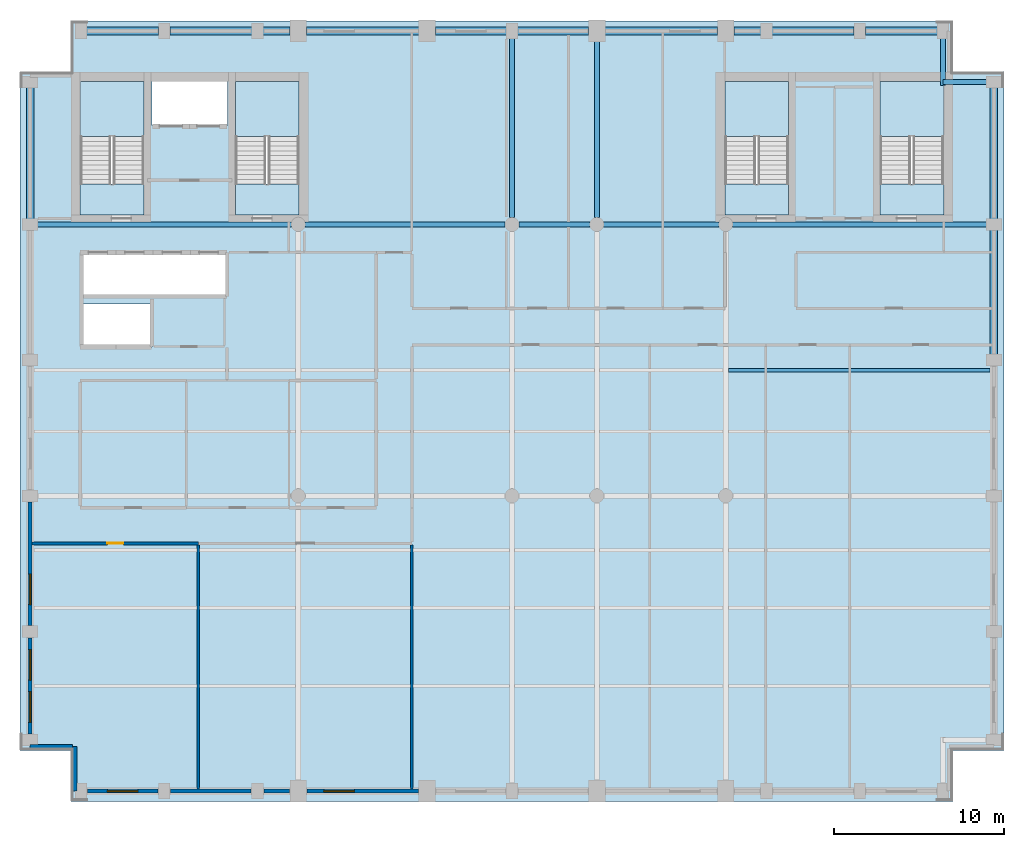
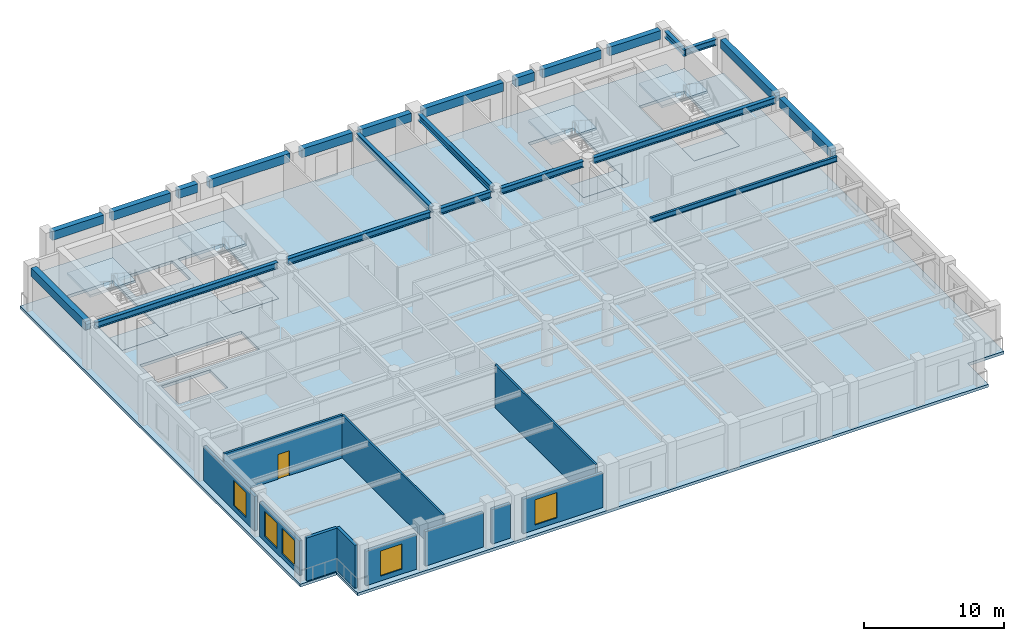
# One storey, part 2 of 9: 23 beams, 11 walls, 9 slabs, 5 windows, 1 door, 6 openings, 4 elements without a shape of their own.
"""IFC4 building model written with IfcOpenShell, lengths in metres."""

from ifc_helpers import new_model, si_unit, direction, frame, frame_2d, origin, origin_2d, place, context, subcontext, project, spatial, polyline, rectangle, i_section, outline, extrude, material, layer, layer_set, material_profile, profile_set, type_object, element, fill, aggregate, save


model = new_model("IFC4")

# Units and contexts
model_context = context("Model", 3, precision=1e-05, world=origin(), true_north=direction((0.0, 1.0)))
body_context = subcontext(model_context, "Body", "Model", "MODEL_VIEW")
ifc_project = project(units=[si_unit("LENGTHUNIT", "METRE"), si_unit("AREAUNIT", "SQUARE_METRE"), si_unit("VOLUMEUNIT", "CUBIC_METRE"), si_unit("PLANEANGLEUNIT", "RADIAN"), si_unit("MASSUNIT", "GRAM", prefix="KILO")], contexts=[model_context])

# Site, building, storey
site_placement = place(None, origin())
site = spatial("IfcSite", under=ifc_project, at=site_placement, CompositionType="ELEMENT")
building_placement = place(site_placement, origin())
building = spatial("IfcBuilding", under=site, at=building_placement, Name="Sulina Concourse Tower", CompositionType="ELEMENT")
storey_placement = place(building_placement, frame((0.0, 0.0, 272.60009765625)))
storey = spatial("IfcBuildingStorey", under=building, at=storey_placement, Name="L66", CompositionType="ELEMENT", Elevation=272.60009765625)

# Beams
ifc_material_1 = material(Name="Steel S355", Category="steel")
ifc_material_profile_1 = material_profile(ifc_material_1, i_section(OverallWidth=0.18994140625, OverallDepth=0.449951171875, WebThickness=0.009521484375, FlangeThickness=0.0146484375, at=origin_2d()), Name="IPE 450")
ifc_profile_set_1 = profile_set([ifc_material_profile_1], Name="Steel S355")
beam_type_1 = type_object("IfcBeamType", Name="Composite Floor Joist IPE450", PredefinedType="JOIST", material=ifc_profile_set_1)
beam_1_placement = place(storey_placement, frame((41.75, 25.39990234375, 3.52490234375), z_axis=(1.0, 0.0, 0.0), x_axis=(0.0, 1.0, 0.0)))
element("IfcBeam", 1, at=beam_1_placement, inside=storey, type_object=beam_type_1, Name="FJ-J25-5-L66", PredefinedType="JOIST", context=body_context, shape_type="SweptSolid", body=[
    extrude(i_section(OverallWidth=0.18994140625, OverallDepth=0.449951171875, WebThickness=0.009521484375, FlangeThickness=0.0146484375, at=origin_2d()), origin(), (0.0, 0.0, 1.0), 15.425048828125),
])
ifc_material_2 = material(Name="Steel S355", Category="steel")
ifc_material_profile_2 = material_profile(ifc_material_2, i_section(OverallWidth=0.300048828125, OverallDepth=0.550048828125, WebThickness=0.014892578125, FlangeThickness=0.029052734375, at=origin_2d()), Name="HE 550 B")
ifc_profile_set_2 = profile_set([ifc_material_profile_2], Name="Steel S355")
beam_type_2 = type_object("IfcBeamType", Name="Floor Primary Girder Zone 4 HE550B", PredefinedType="BEAM", material=ifc_profile_set_2)
beam_2_placement = place(storey_placement, frame((54.39990234375, 42.39990234375, 3.474853515625), z_axis=(1.0, 0.0, 0.0), x_axis=(0.0, 1.0, 0.0)))
element("IfcBeam", 2, at=beam_2_placement, inside=storey, type_object=beam_type_2, Name="TIE-NE-L66", PredefinedType="BEAM", context=body_context, shape_type="SweptSolid", body=[
    extrude(i_section(OverallWidth=0.300048828125, OverallDepth=0.550048828125, WebThickness=0.014892578125, FlangeThickness=0.029052734375, at=origin_2d()), origin(), (0.0, 0.0, 1.0), 2.670166015625),
])
beam_3_placement = place(storey_placement, frame((54.39990234375, 42.199951171875, 3.474853515625), z_axis=(0.0, 1.0, 0.0), x_axis=(-1.0, 0.0, 0.0)))
element("IfcBeam", 3, at=beam_3_placement, inside=storey, type_object=beam_type_2, Name="TIE-NEN-L66", PredefinedType="BEAM", context=body_context, shape_type="SweptSolid", body=[
    extrude(i_section(OverallWidth=0.300048828125, OverallDepth=0.550048828125, WebThickness=0.014892578125, FlangeThickness=0.029052734375, at=origin_2d()), origin(), (0.0, 0.0, 1.0), 2.8701171875),
])
beam_4_placement = place(storey_placement, frame((0.929931640625, 34.0, 3.474853515625), z_axis=(1.0, 0.0, 0.0), x_axis=(0.0, 1.0, 0.0)))
element("IfcBeam", 4, at=beam_4_placement, inside=storey, type_object=beam_type_2, Name="FG-EWN1-L66", PredefinedType="BEAM", context=body_context, shape_type="SweptSolid", body=[
    extrude(i_section(OverallWidth=0.300048828125, OverallDepth=0.550048828125, WebThickness=0.014892578125, FlangeThickness=0.029052734375, at=origin_2d()), origin(), (0.0, 0.0, 1.0), 15.065185546875),
])
beam_5_placement = place(storey_placement, frame((16.804931640625, 34.0, 3.474853515625), z_axis=(1.0, 0.0, 0.0), x_axis=(0.0, 1.0, 0.0)))
element("IfcBeam", 5, at=beam_5_placement, inside=storey, type_object=beam_type_2, Name="FG-EWN2-L66", PredefinedType="BEAM", context=body_context, shape_type="SweptSolid", body=[
    extrude(i_section(OverallWidth=0.300048828125, OverallDepth=0.550048828125, WebThickness=0.014892578125, FlangeThickness=0.029052734375, at=origin_2d()), origin(), (0.0, 0.0, 1.0), 11.7900390625),
])
beam_6_placement = place(storey_placement, frame((29.405029296875, 34.0, 3.474853515625), z_axis=(1.0, 0.0, 0.0), x_axis=(0.0, 1.0, 0.0)))
element("IfcBeam", 6, at=beam_6_placement, inside=storey, type_object=beam_type_2, Name="FG-EWN3-L66", PredefinedType="BEAM", context=body_context, shape_type="SweptSolid", body=[
    extrude(i_section(OverallWidth=0.300048828125, OverallDepth=0.550048828125, WebThickness=0.014892578125, FlangeThickness=0.029052734375, at=origin_2d()), origin(), (0.0, 0.0, 1.0), 4.18994140625),
])
beam_7_placement = place(storey_placement, frame((34.405029296875, 34.0, 3.474853515625), z_axis=(1.0, 0.0, 0.0), x_axis=(0.0, 1.0, 0.0)))
element("IfcBeam", 7, at=beam_7_placement, inside=storey, type_object=beam_type_2, Name="FG-EWN4-L66", PredefinedType="BEAM", context=body_context, shape_type="SweptSolid", body=[
    extrude(i_section(OverallWidth=0.300048828125, OverallDepth=0.550048828125, WebThickness=0.014892578125, FlangeThickness=0.029052734375, at=origin_2d()), origin(), (0.0, 0.0, 1.0), 6.7900390625),
])
beam_8_placement = place(storey_placement, frame((42.0048828125, 34.0, 3.474853515625), z_axis=(1.0, 0.0, 0.0), x_axis=(0.0, 1.0, 0.0)))
element("IfcBeam", 8, at=beam_8_placement, inside=storey, type_object=beam_type_2, Name="FG-EWN5-L66", PredefinedType="BEAM", context=body_context, shape_type="SweptSolid", body=[
    extrude(i_section(OverallWidth=0.300048828125, OverallDepth=0.550048828125, WebThickness=0.014892578125, FlangeThickness=0.029052734375, at=origin_2d()), origin(), (0.0, 0.0, 1.0), 15.065185546875),
])
beam_9_placement = place(storey_placement, frame((29.0, 34.405029296875, 3.474853515625), z_axis=(0.0, 1.0, 0.0), x_axis=(-1.0, 0.0, 0.0)))
element("IfcBeam", 9, at=beam_9_placement, inside=storey, type_object=beam_type_2, Name="FG-NSC-29-L66", PredefinedType="BEAM", context=body_context, shape_type="SweptSolid", body=[
    extrude(i_section(OverallWidth=0.300048828125, OverallDepth=0.550048828125, WebThickness=0.014892578125, FlangeThickness=0.029052734375, at=origin_2d()), origin(), (0.0, 0.0, 1.0), 10.6650390625),
])
beam_10_placement = place(storey_placement, frame((34.0, 34.405029296875, 3.474853515625), z_axis=(0.0, 1.0, 0.0), x_axis=(-1.0, 0.0, 0.0)))
element("IfcBeam", 10, at=beam_10_placement, inside=storey, type_object=beam_type_2, Name="FG-NSC-34-L66", PredefinedType="BEAM", context=body_context, shape_type="SweptSolid", body=[
    extrude(i_section(OverallWidth=0.300048828125, OverallDepth=0.550048828125, WebThickness=0.014892578125, FlangeThickness=0.029052734375, at=origin_2d()), origin(), (0.0, 0.0, 1.0), 10.514892578125),
])
ifc_material_3 = material(Name="Precast concrete C50/60", Category="concrete")
ifc_material_profile_3 = material_profile(ifc_material_3, rectangle(XDim=0.449951171875, YDim=0.75, at=origin_2d()), Name="RC 450x750")
ifc_profile_set_3 = profile_set([ifc_material_profile_3], Name="Precast concrete C50/60")
beam_type_3 = type_object("IfcBeamType", Name="Upper Precast Spandrel Edge Beam 450x750", PredefinedType="BEAM", material=ifc_profile_set_3)
beam_11_placement = place(storey_placement, frame((3.929931640625, 45.39990234375, 3.375), z_axis=(1.0, 0.0, 0.0), x_axis=(0.0, 1.0, 0.0)))
element("IfcBeam", 11, at=beam_11_placement, inside=storey, type_object=beam_type_3, Name="SP-N1-L66", PredefinedType="BEAM", context=body_context, shape_type="SweptSolid", body=[
    extrude(rectangle(XDim=0.449951171875, YDim=0.75, at=origin_2d()), origin(), (0.0, 0.0, 1.0), 4.239990234375),
])
beam_12_placement = place(storey_placement, frame((8.830078125, 45.39990234375, 3.375), z_axis=(1.0, 0.0, 0.0), x_axis=(0.0, 1.0, 0.0)))
element("IfcBeam", 12, at=beam_12_placement, inside=storey, type_object=beam_type_3, Name="SP-N2-L66", PredefinedType="BEAM", context=body_context, shape_type="SweptSolid", body=[
    extrude(rectangle(XDim=0.449951171875, YDim=0.75, at=origin_2d()), origin(), (0.0, 0.0, 1.0), 4.83984375),
])
beam_13_placement = place(storey_placement, frame((14.330078125, 45.39990234375, 3.375), z_axis=(1.0, 0.0, 0.0), x_axis=(0.0, 1.0, 0.0)))
element("IfcBeam", 13, at=beam_13_placement, inside=storey, type_object=beam_type_3, Name="SP-N3-L66", PredefinedType="BEAM", context=body_context, shape_type="SweptSolid", body=[
    extrude(rectangle(XDim=0.449951171875, YDim=0.75, at=origin_2d()), origin(), (0.0, 0.0, 1.0), 1.58984375),
])
beam_14_placement = place(storey_placement, frame((16.8798828125, 45.39990234375, 3.375), z_axis=(1.0, 0.0, 0.0), x_axis=(0.0, 1.0, 0.0)))
element("IfcBeam", 14, at=beam_14_placement, inside=storey, type_object=beam_type_3, Name="SP-N4-L66", PredefinedType="BEAM", context=body_context, shape_type="SweptSolid", body=[
    extrude(rectangle(XDim=0.449951171875, YDim=0.75, at=origin_2d()), origin(), (0.0, 0.0, 1.0), 6.64013671875),
])
for number, where, z_axis, x_axis, name in (
    (15, (24.47998046875, 45.39990234375, 3.375), (1.0, 0.0, 0.0), (0.0, 1.0, 0.0), "SP-N5-L66"),
    (16, (29.330078125, 45.39990234375, 3.375), (1.0, 0.0, 0.0), (0.0, 1.0, 0.0), "SP-N6-L66"),
):
    element("IfcBeam", number, at=place(storey_placement, frame(where, z_axis=z_axis, x_axis=x_axis)), inside=storey, type_object=beam_type_3, Name=name, PredefinedType="BEAM", context=body_context, shape_type="SweptSolid", body=[
        extrude(rectangle(XDim=0.449951171875, YDim=0.75, at=origin_2d()), origin(), (0.0, 0.0, 1.0), 4.18994140625),
    ])
beam_15_placement = place(storey_placement, frame((34.47998046875, 45.39990234375, 3.375), z_axis=(1.0, 0.0, 0.0), x_axis=(0.0, 1.0, 0.0)))
element("IfcBeam", 17, at=beam_15_placement, inside=storey, type_object=beam_type_3, Name="SP-N7-L66", PredefinedType="BEAM", context=body_context, shape_type="SweptSolid", body=[
    extrude(rectangle(XDim=0.449951171875, YDim=0.75, at=origin_2d()), origin(), (0.0, 0.0, 1.0), 6.64013671875),
])
beam_16_placement = place(storey_placement, frame((42.080078125, 45.39990234375, 3.375), z_axis=(1.0, 0.0, 0.0), x_axis=(0.0, 1.0, 0.0)))
element("IfcBeam", 18, at=beam_16_placement, inside=storey, type_object=beam_type_3, Name="SP-N8-L66", PredefinedType="BEAM", context=body_context, shape_type="SweptSolid", body=[
    extrude(rectangle(XDim=0.449951171875, YDim=0.75, at=origin_2d()), origin(), (0.0, 0.0, 1.0), 1.58984375),
])
beam_17_placement = place(storey_placement, frame((44.330078125, 45.39990234375, 3.375), z_axis=(1.0, 0.0, 0.0), x_axis=(0.0, 1.0, 0.0)))
element("IfcBeam", 19, at=beam_17_placement, inside=storey, type_object=beam_type_3, Name="SP-N9-L66", PredefinedType="BEAM", context=body_context, shape_type="SweptSolid", body=[
    extrude(rectangle(XDim=0.449951171875, YDim=0.75, at=origin_2d()), origin(), (0.0, 0.0, 1.0), 4.83984375),
])
beam_18_placement = place(storey_placement, frame((49.830078125, 45.39990234375, 3.375), z_axis=(1.0, 0.0, 0.0), x_axis=(0.0, 1.0, 0.0)))
element("IfcBeam", 20, at=beam_18_placement, inside=storey, type_object=beam_type_3, Name="SP-N10-L66", PredefinedType="BEAM", context=body_context, shape_type="SweptSolid", body=[
    extrude(rectangle(XDim=0.449951171875, YDim=0.75, at=origin_2d()), origin(), (0.0, 0.0, 1.0), 4.239990234375),
])
beam_19_placement = place(storey_placement, frame((0.60009765625, 34.330078125, 3.375), z_axis=(0.0, 1.0, 0.0), x_axis=(-1.0, 0.0, 0.0)))
element("IfcBeam", 21, at=beam_19_placement, inside=storey, type_object=beam_type_3, Name="SP-W5-L66", PredefinedType="BEAM", context=body_context, shape_type="SweptSolid", body=[
    extrude(rectangle(XDim=0.449951171875, YDim=0.75, at=origin_2d()), origin(), (0.0, 0.0, 1.0), 7.739990234375),
])
beam_20_placement = place(storey_placement, frame((57.39990234375, 26.330078125, 3.375), z_axis=(0.0, 1.0, 0.0), x_axis=(-1.0, 0.0, 0.0)))
element("IfcBeam", 22, at=beam_20_placement, inside=storey, type_object=beam_type_3, Name="SP-E4-L66", PredefinedType="BEAM", context=body_context, shape_type="SweptSolid", body=[
    extrude(rectangle(XDim=0.449951171875, YDim=0.75, at=origin_2d()), origin(), (0.0, 0.0, 1.0), 7.33984375),
])
beam_21_placement = place(storey_placement, frame((57.39990234375, 34.330078125, 3.375), z_axis=(0.0, 1.0, 0.0), x_axis=(-1.0, 0.0, 0.0)))
element("IfcBeam", 23, at=beam_21_placement, inside=storey, type_object=beam_type_3, Name="SP-E5-L66", PredefinedType="BEAM", context=body_context, shape_type="SweptSolid", body=[
    extrude(rectangle(XDim=0.449951171875, YDim=0.75, at=origin_2d()), origin(), (0.0, 0.0, 1.0), 7.739990234375),
])

# Slabs
ifc_material_4 = material(Name="Concrete C50/60", Category="concrete")
ifc_layer_1 = layer(ifc_material_4, 0.25)
ifc_layer_set_1 = layer_set([ifc_layer_1], Name="Concrete C50/60")
slab_type_1 = type_object("IfcSlabType", Name="High-Rise Composite Floor Slab 250mm", PredefinedType="FLOOR", material=ifc_layer_set_1)
slab_1_placement = place(storey_placement, frame((0.0, 0.0, -0.25)))
element("IfcSlab", 24, at=slab_1_placement, inside=storey, type_object=slab_type_1, Name="L66 structural floor slab", PredefinedType="FLOOR", context=body_context, shape_type="SweptSolid", body=[
    extrude(outline(polyline([(3.0, 0.0), (55.0, 0.0), (55.0, 3.0), (58.0, 3.0), (58.0, 43.0), (55.0, 43.0), (55.0, 46.0), (3.0, 46.0), (3.0, 43.0), (0.0, 43.0), (0.0, 3.0), (3.0, 3.0), (3.0, 0.0)]), holes=[polyline([(7.31005859375, 34.550048828125), (7.31005859375, 42.429931640625), (3.550048828125, 42.429931640625), (3.550048828125, 34.550048828125), (7.31005859375, 34.550048828125)]), polyline([(16.449951171875, 34.550048828125), (16.449951171875, 42.429931640625), (12.68994140625, 42.429931640625), (12.68994140625, 34.550048828125), (16.449951171875, 34.550048828125)]), polyline([(45.31005859375, 34.550048828125), (45.31005859375, 42.429931640625), (41.550048828125, 42.429931640625), (41.550048828125, 34.550048828125), (45.31005859375, 34.550048828125)]), polyline([(54.449951171875, 34.550048828125), (54.449951171875, 42.429931640625), (50.68994140625, 42.429931640625), (50.68994140625, 34.550048828125), (54.449951171875, 34.550048828125)]), polyline([(7.780029296875, 39.830078125), (12.219970703125, 39.830078125), (12.219970703125, 42.449951171875), (7.780029296875, 42.449951171875), (7.780029296875, 39.830078125)]), polyline([(3.739990234375, 26.780029296875), (7.77001953125, 26.780029296875), (7.77001953125, 29.320068359375), (3.739990234375, 29.320068359375), (3.739990234375, 26.780029296875)]), polyline([(3.739990234375, 29.780029296875), (12.10009765625, 29.780029296875), (12.10009765625, 32.3701171875), (3.739990234375, 32.3701171875), (3.739990234375, 29.780029296875)])]), origin(), (0.0, 0.0, 1.0), 0.25),
])
ifc_material_5 = material(Name="Concrete C50/60", Category="concrete")
ifc_layer_2 = layer(ifc_material_5, 0.199951171875)
ifc_layer_set_2 = layer_set([ifc_layer_2], Name="Concrete C50/60")
slab_type_2 = type_object("IfcSlabType", Name="Primary Core Stair Landing Slab 200mm", PredefinedType="LANDING", material=ifc_layer_set_2)
slab_2_placement = place(storey_placement, frame((0.0, 0.0, -0.2001953125)))
element("IfcSlab", 25, at=slab_2_placement, inside=storey, type_object=slab_type_2, Name="L66 ST-1 floor landing slab", PredefinedType="LANDING", context=body_context, shape_type="SweptSolid", body=[
    extrude(outline(polyline([(7.31005859375, 34.550048828125), (7.31005859375, 36.375), (3.550048828125, 36.375), (3.550048828125, 34.550048828125), (7.31005859375, 34.550048828125)])), origin(), (0.0, 0.0, 1.0), 0.2001953125),
])
slab_3_placement = place(storey_placement, frame((0.0, 0.0, -0.2001953125)))
element("IfcSlab", 26, at=slab_3_placement, inside=storey, type_object=slab_type_2, Name="L66 ST-2 floor landing slab", PredefinedType="LANDING", context=body_context, shape_type="SweptSolid", body=[
    extrude(outline(polyline([(16.449951171875, 34.550048828125), (16.449951171875, 36.375), (12.68994140625, 36.375), (12.68994140625, 34.550048828125), (16.449951171875, 34.550048828125)])), origin(), (0.0, 0.0, 1.0), 0.2001953125),
])
slab_4_placement = place(storey_placement, frame((0.0, 0.0, -0.2001953125)))
element("IfcSlab", 27, at=slab_4_placement, inside=storey, type_object=slab_type_2, Name="L66 ST-3 floor landing slab", PredefinedType="LANDING", context=body_context, shape_type="SweptSolid", body=[
    extrude(outline(polyline([(45.31005859375, 34.550048828125), (45.31005859375, 36.375), (41.550048828125, 36.375), (41.550048828125, 34.550048828125), (45.31005859375, 34.550048828125)])), origin(), (0.0, 0.0, 1.0), 0.2001953125),
])
slab_5_placement = place(storey_placement, frame((0.0, 0.0, -0.2001953125)))
element("IfcSlab", 28, at=slab_5_placement, inside=storey, type_object=slab_type_2, Name="L66 ST-4 floor landing slab", PredefinedType="LANDING", context=body_context, shape_type="SweptSolid", body=[
    extrude(outline(polyline([(54.449951171875, 34.550048828125), (54.449951171875, 36.375), (50.68994140625, 36.375), (50.68994140625, 34.550048828125), (54.449951171875, 34.550048828125)])), origin(), (0.0, 0.0, 1.0), 0.2001953125),
])

# Stair, slab
ifc_material_6 = material(Name="Concrete C50/60", Category="concrete")
stair_type_1 = type_object("IfcStairType", Name="Primary Core Dog-Leg Exit Stair 1800mm", PredefinedType="HALF_TURN_STAIR", material=ifc_material_6)
stair_1_placement = place(storey_placement, origin())
stair_1 = element("IfcStair", 29, at=stair_1_placement, inside=storey, type_object=stair_type_1, Name="L66 ST-1", PredefinedType="HALF_TURN_STAIR")
slab_6_placement = place(storey_placement, frame((0.0, 0.0, 1.7998046875)))
slab_6 = element("IfcSlab", 30, at=slab_6_placement, type_object=slab_type_2, Name="ST-1 landing 1", PredefinedType="LANDING", context=body_context, shape_type="SweptSolid", body=[
    extrude(outline(polyline([(7.304931640625, 39.175048828125), (7.304931640625, 42.425048828125), (3.554931640625, 42.425048828125), (3.554931640625, 39.175048828125), (7.304931640625, 39.175048828125)])), origin(), (0.0, 0.0, 1.0), 0.2001953125),
])
aggregate(stair_1, [slab_6])

stair_2_placement = place(storey_placement, origin())
stair_2 = element("IfcStair", 31, at=stair_2_placement, inside=storey, type_object=stair_type_1, Name="L66 ST-2", PredefinedType="HALF_TURN_STAIR")
slab_7_placement = place(storey_placement, frame((0.0, 0.0, 1.7998046875)))
slab_7 = element("IfcSlab", 32, at=slab_7_placement, type_object=slab_type_2, Name="ST-2 landing 1", PredefinedType="LANDING", context=body_context, shape_type="SweptSolid", body=[
    extrude(outline(polyline([(16.445068359375, 39.175048828125), (16.445068359375, 42.425048828125), (12.695068359375, 42.425048828125), (12.695068359375, 39.175048828125), (16.445068359375, 39.175048828125)])), origin(), (0.0, 0.0, 1.0), 0.2001953125),
])
aggregate(stair_2, [slab_7])

ifc_material_7 = material(Name="Concrete C50/60", Category="concrete")
stair_type_2 = type_object("IfcStairType", Name="Portal & Podium Core Exit Stair 1820mm", PredefinedType="HALF_TURN_STAIR", material=ifc_material_7)
stair_3_placement = place(storey_placement, origin())
stair_3 = element("IfcStair", 33, at=stair_3_placement, inside=storey, type_object=stair_type_2, Name="L66 ST-3", PredefinedType="HALF_TURN_STAIR")
slab_8_placement = place(storey_placement, frame((0.0, 0.0, 1.7998046875)))
slab_8 = element("IfcSlab", 34, at=slab_8_placement, type_object=slab_type_2, Name="ST-3 landing 1", PredefinedType="LANDING", context=body_context, shape_type="SweptSolid", body=[
    extrude(outline(polyline([(45.304931640625, 39.175048828125), (45.304931640625, 42.425048828125), (41.554931640625, 42.425048828125), (41.554931640625, 39.175048828125), (45.304931640625, 39.175048828125)])), origin(), (0.0, 0.0, 1.0), 0.2001953125),
])
aggregate(stair_3, [slab_8])

stair_4_placement = place(storey_placement, origin())
stair_4 = element("IfcStair", 35, at=stair_4_placement, inside=storey, type_object=stair_type_2, Name="L66 ST-4", PredefinedType="HALF_TURN_STAIR")
slab_9_placement = place(storey_placement, frame((0.0, 0.0, 1.7998046875)))
slab_9 = element("IfcSlab", 36, at=slab_9_placement, type_object=slab_type_2, Name="ST-4 landing 1", PredefinedType="LANDING", context=body_context, shape_type="SweptSolid", body=[
    extrude(outline(polyline([(54.445068359375, 39.175048828125), (54.445068359375, 42.425048828125), (50.695068359375, 42.425048828125), (50.695068359375, 39.175048828125), (54.445068359375, 39.175048828125)])), origin(), (0.0, 0.0, 1.0), 0.2001953125),
])
aggregate(stair_4, [slab_9])

# Wall, opening, window
ifc_material_8 = material(Name="Precast concrete C50/60", Category="concrete")
ifc_layer_3 = layer(ifc_material_8, 0.239990234375)
ifc_layer_set_3 = layer_set([ifc_layer_3], Name="Precast concrete C50/60")
wall_type_1 = type_object("IfcWallType", Name="Crown Precast Masonry-Frame Facade Wall 240mm", PredefinedType="SOLIDWALL", material=ifc_layer_set_3)
wall_1_placement = place(storey_placement, frame((8.1298828125, 0.60009765625, 0.0), z_axis=(0.0, 0.0, 1.0), x_axis=(-1.0, 0.0, 0.0)))
wall_1 = element("IfcWall", 37, at=wall_1_placement, inside=storey, type_object=wall_type_1, Name="L66 exterior precast wall S1", PredefinedType="SOLIDWALL", context=body_context, shape_type="SweptSolid", body=[
    extrude(rectangle(XDim=4.159912109375, YDim=0.239990234375, at=frame_2d((2.080078125, 0.0))), origin(), (0.0, 0.0, 1.0), 3.0),
])
opening_1_placement = place(wall_1_placement, frame((1.179931640625, 0.0, 0.419921875)))
opening_1 = element("IfcOpeningElement", 38, at=opening_1_placement, cuts=wall_1, Name="Opening WN-25", PredefinedType="OPENING", context=body_context, shape_type="SweptSolid", body=[
    extrude(rectangle(XDim=1.800048828125, YDim=2.199951171875, at=frame_2d((0.89990234375, 1.10009765625))), frame((0.0, 0.1298828125, 0.0), z_axis=(0.0, -1.0, 0.0), x_axis=(1.0, 0.0, 0.0)), (0.0, 0.0, 1.0), 0.260009765625),
])
ifc_material_9 = material(Name="Low-E solar double glazing in bronze aluminium", Category="aluminium")
window_type = type_object("IfcWindowType", Name="Punched Masonry-Frame Window 1800x2200", PartitioningType="SINGLE_PANEL", PredefinedType="WINDOW", material=ifc_material_9)
window_1_placement = place(opening_1_placement, origin())
window_1 = element("IfcWindow", 39, at=window_1_placement, inside=storey, type_object=window_type, Name="L66 punched window S1-1", OverallHeight=2.199951171875, OverallWidth=1.800048828125, PartitioningType="SINGLE_PANEL", PredefinedType="WINDOW", context=body_context, shape_type="SweptSolid", body=[
    extrude(rectangle(XDim=1.800048828125, YDim=2.199951171875, at=frame_2d((0.89990234375, 1.10009765625))), frame((0.0, 0.030029296875, 0.0), z_axis=(0.0, -1.0, 0.0), x_axis=(1.0, 0.0, 0.0)), (0.0, 0.0, 1.0), 0.06005859375),
])
fill(opening_1, window_1)

# Walls
wall_2_placement = place(storey_placement, frame((13.6298828125, 0.60009765625, 0.0), z_axis=(0.0, 0.0, 1.0), x_axis=(-1.0, 0.0, 0.0)))
element("IfcWall", 40, at=wall_2_placement, inside=storey, type_object=wall_type_1, Name="L66 exterior precast wall S2", PredefinedType="SOLIDWALL", context=body_context, shape_type="SweptSolid", body=[
    extrude(rectangle(XDim=4.759765625, YDim=0.239990234375, at=frame_2d((2.3798828125, 0.0))), origin(), (0.0, 0.0, 1.0), 3.0),
])
wall_3_placement = place(storey_placement, frame((15.8798828125, 0.60009765625, 0.0), z_axis=(0.0, 0.0, 1.0), x_axis=(-1.0, 0.0, 0.0)))
element("IfcWall", 41, at=wall_3_placement, inside=storey, type_object=wall_type_1, Name="L66 exterior precast wall S3", PredefinedType="SOLIDWALL", context=body_context, shape_type="SweptSolid", body=[
    extrude(rectangle(XDim=1.509765625, YDim=0.239990234375, at=frame_2d((0.7548828125, 0.0))), origin(), (0.0, 0.0, 1.0), 3.0),
])

# Wall, opening, window
wall_4_placement = place(storey_placement, frame((23.47998046875, 0.60009765625, 0.0), z_axis=(0.0, 0.0, 1.0), x_axis=(-1.0, 0.0, 0.0)))
wall_4 = element("IfcWall", 42, at=wall_4_placement, inside=storey, type_object=wall_type_1, Name="L66 exterior precast wall S4", PredefinedType="SOLIDWALL", context=body_context, shape_type="SweptSolid", body=[
    extrude(rectangle(XDim=6.56005859375, YDim=0.239990234375, at=frame_2d((3.280029296875, 0.0))), origin(), (0.0, 0.0, 1.0), 3.0),
])
opening_2_placement = place(wall_4_placement, frame((3.773193359375, 0.0, 0.419921875)))
opening_2 = element("IfcOpeningElement", 43, at=opening_2_placement, cuts=wall_4, Name="Opening WN-25", PredefinedType="OPENING", context=body_context, shape_type="SweptSolid", body=[
    extrude(rectangle(XDim=1.800048828125, YDim=2.199951171875, at=frame_2d((0.89990234375, 1.10009765625))), frame((0.0, 0.1298828125, 0.0), z_axis=(0.0, -1.0, 0.0), x_axis=(1.0, 0.0, 0.0)), (0.0, 0.0, 1.0), 0.260009765625),
])
window_2_placement = place(opening_2_placement, origin())
window_2 = element("IfcWindow", 44, at=window_2_placement, inside=storey, type_object=window_type, Name="L66 punched window S4-1", OverallHeight=2.199951171875, OverallWidth=1.800048828125, PartitioningType="SINGLE_PANEL", PredefinedType="WINDOW", context=body_context, shape_type="SweptSolid", body=[
    extrude(rectangle(XDim=1.800048828125, YDim=2.199951171875, at=frame_2d((0.89990234375, 1.10009765625))), frame((0.0, 0.030029296875, 0.0), z_axis=(0.0, -1.0, 0.0), x_axis=(1.0, 0.0, 0.0)), (0.0, 0.0, 1.0), 0.06005859375),
])
fill(opening_2, window_2)

# Wall, openings, windows
wall_5_placement = place(storey_placement, frame((0.60009765625, 3.969970703125, 0.0), z_axis=(0.0, 0.0, 1.0), x_axis=(0.0, 1.0, 0.0)))
wall_5 = element("IfcWall", 45, at=wall_5_placement, inside=storey, type_object=wall_type_1, Name="L66 exterior precast wall W1", PredefinedType="SOLIDWALL", context=body_context, shape_type="SweptSolid", body=[
    extrude(rectangle(XDim=5.659912109375, YDim=0.239990234375, at=frame_2d((2.830078125, 0.0))), origin(), (0.0, 0.0, 1.0), 3.0),
])
opening_3_placement = place(wall_5_placement, frame((0.686767578125, 0.0, 0.419921875)))
opening_3 = element("IfcOpeningElement", 46, at=opening_3_placement, cuts=wall_5, Name="Opening WN-25", PredefinedType="OPENING", context=body_context, shape_type="SweptSolid", body=[
    extrude(rectangle(XDim=1.800048828125, YDim=2.199951171875, at=frame_2d((0.89990234375, 1.10009765625))), frame((0.0, 0.1298828125, 0.0), z_axis=(0.0, -1.0, 0.0), x_axis=(1.0, 0.0, 0.0)), (0.0, 0.0, 1.0), 0.260009765625),
])
opening_4_placement = place(wall_5_placement, frame((3.17333984375, 0.0, 0.419921875)))
opening_4 = element("IfcOpeningElement", 47, at=opening_4_placement, cuts=wall_5, Name="Opening WN-25", PredefinedType="OPENING", context=body_context, shape_type="SweptSolid", body=[
    extrude(rectangle(XDim=1.800048828125, YDim=2.199951171875, at=frame_2d((0.89990234375, 1.10009765625))), frame((0.0, 0.1298828125, 0.0), z_axis=(0.0, -1.0, 0.0), x_axis=(1.0, 0.0, 0.0)), (0.0, 0.0, 1.0), 0.260009765625),
])
window_3_placement = place(opening_3_placement, origin())
window_3 = element("IfcWindow", 48, at=window_3_placement, inside=storey, type_object=window_type, Name="L66 punched window W1-1", OverallHeight=2.199951171875, OverallWidth=1.800048828125, PartitioningType="SINGLE_PANEL", PredefinedType="WINDOW", context=body_context, shape_type="SweptSolid", body=[
    extrude(rectangle(XDim=1.800048828125, YDim=2.199951171875, at=frame_2d((0.89990234375, 1.10009765625))), frame((0.0, 0.030029296875, 0.0), z_axis=(0.0, -1.0, 0.0), x_axis=(1.0, 0.0, 0.0)), (0.0, 0.0, 1.0), 0.06005859375),
])
fill(opening_3, window_3)
window_4_placement = place(opening_4_placement, origin())
window_4 = element("IfcWindow", 49, at=window_4_placement, inside=storey, type_object=window_type, Name="L66 punched window W1-2", OverallHeight=2.199951171875, OverallWidth=1.800048828125, PartitioningType="SINGLE_PANEL", PredefinedType="WINDOW", context=body_context, shape_type="SweptSolid", body=[
    extrude(rectangle(XDim=1.800048828125, YDim=2.199951171875, at=frame_2d((0.89990234375, 1.10009765625))), frame((0.0, 0.030029296875, 0.0), z_axis=(0.0, -1.0, 0.0), x_axis=(1.0, 0.0, 0.0)), (0.0, 0.0, 1.0), 0.06005859375),
])
fill(opening_4, window_4)

# Wall, opening, window
wall_6_placement = place(storey_placement, frame((0.60009765625, 10.3701171875, 0.0), z_axis=(0.0, 0.0, 1.0), x_axis=(0.0, 1.0, 0.0)))
wall_6 = element("IfcWall", 50, at=wall_6_placement, inside=storey, type_object=wall_type_1, Name="L66 exterior precast wall W2", PredefinedType="SOLIDWALL", context=body_context, shape_type="SweptSolid", body=[
    extrude(rectangle(XDim=7.259765625, YDim=0.239990234375, at=frame_2d((3.6298828125, 0.0))), origin(), (0.0, 0.0, 1.0), 3.0),
])
opening_5_placement = place(wall_6_placement, frame((1.219970703125, 0.0, 0.419921875)))
opening_5 = element("IfcOpeningElement", 51, at=opening_5_placement, cuts=wall_6, Name="Opening WN-25", PredefinedType="OPENING", context=body_context, shape_type="SweptSolid", body=[
    extrude(rectangle(XDim=1.800048828125, YDim=2.199951171875, at=frame_2d((0.89990234375, 1.10009765625))), frame((0.0, 0.1298828125, 0.0), z_axis=(0.0, -1.0, 0.0), x_axis=(1.0, 0.0, 0.0)), (0.0, 0.0, 1.0), 0.260009765625),
])
window_5_placement = place(opening_5_placement, origin())
window_5 = element("IfcWindow", 52, at=window_5_placement, inside=storey, type_object=window_type, Name="L66 punched window W2-1", OverallHeight=2.199951171875, OverallWidth=1.800048828125, PartitioningType="SINGLE_PANEL", PredefinedType="WINDOW", context=body_context, shape_type="SweptSolid", body=[
    extrude(rectangle(XDim=1.800048828125, YDim=2.199951171875, at=frame_2d((0.89990234375, 1.10009765625))), frame((0.0, 0.030029296875, 0.0), z_axis=(0.0, -1.0, 0.0), x_axis=(1.0, 0.0, 0.0)), (0.0, 0.0, 1.0), 0.06005859375),
])
fill(opening_5, window_5)

# Walls
wall_7_placement = place(storey_placement, frame((3.22998046875, 0.60009765625, 0.0), z_axis=(0.0, 0.0, 1.0), x_axis=(0.0, 1.0, 0.0)))
element("IfcWall", 53, at=wall_7_placement, inside=storey, type_object=wall_type_1, Name="L66 exterior precast wall CSW1", PredefinedType="SOLIDWALL", context=body_context, shape_type="SweptSolid", body=[
    extrude(rectangle(XDim=2.6298828125, YDim=0.239990234375, at=frame_2d((1.31494140625, 0.0))), origin(), (0.0, 0.0, 1.0), 3.75),
])
wall_8_placement = place(storey_placement, frame((3.10498046875, 3.22998046875, 0.0), z_axis=(0.0, 0.0, 1.0), x_axis=(-1.0, 0.0, 0.0)))
element("IfcWall", 54, at=wall_8_placement, inside=storey, type_object=wall_type_1, Name="L66 exterior precast wall CSW2", PredefinedType="SOLIDWALL", context=body_context, shape_type="SweptSolid", body=[
    extrude(rectangle(XDim=2.5048828125, YDim=0.239990234375, at=frame_2d((1.25244140625, 0.0))), origin(), (0.0, 0.0, 1.0), 3.75),
])
ifc_material_10 = material(Name="Gypsum board on steel stud", Category="steel")
ifc_layer_4 = layer(ifc_material_10, 0.14990234375)
ifc_layer_set_4 = layer_set([ifc_layer_4], Name="Gypsum board on steel stud")
wall_type_2 = type_object("IfcWallType", Name="Inter-Tenancy Acoustic Partition 150mm", PredefinedType="PARTITIONING", material=ifc_layer_set_4)
for number, where, z_axis, x_axis, name in (
    (55, (10.52001953125, 0.719970703125, 0.0), (0.0, 0.0, 1.0), (0.0, 1.0, 0.0), "L66 interior partition 031"),
    (56, (23.10009765625, 0.719970703125, 0.0), (0.0, 0.0, 1.0), (0.0, 1.0, 0.0), "L66 interior partition 039"),
):
    element("IfcWall", number, at=place(storey_placement, frame(where, z_axis=z_axis, x_axis=x_axis)), inside=storey, type_object=wall_type_2, Name=name, PredefinedType="PARTITIONING", context=body_context, shape_type="SweptSolid", body=[
        extrude(rectangle(XDim=14.39013671875, YDim=0.14990234375, at=frame_2d((7.195068359375, 0.0))), origin(), (0.0, 0.0, 1.0), 3.75),
    ])

# Wall, opening, door
ifc_material_11 = material(Name="Gypsum board on steel stud", Category="steel")
ifc_layer_5 = layer(ifc_material_11, 0.179931640625)
ifc_layer_set_5 = layer_set([ifc_layer_5], Name="Gypsum board on steel stud")
wall_type_3 = type_object("IfcWallType", Name="Protected Corridor & Riser Partition 180mm", PredefinedType="PARTITIONING", material=ifc_layer_set_5)
wall_9_placement = place(storey_placement, frame((0.719970703125, 15.199951171875, 0.0), z_axis=(0.0, 0.0, 1.0), x_axis=(1.0, 0.0, 0.0)))
wall_9 = element("IfcWall", 57, at=wall_9_placement, inside=storey, type_object=wall_type_3, Name="L66 interior partition 001", PredefinedType="PARTITIONING", context=body_context, shape_type="SweptSolid", body=[
    extrude(rectangle(XDim=9.800048828125, YDim=0.179931640625, at=frame_2d((4.89990234375, 0.0))), origin(), (0.0, 0.0, 1.0), 3.75),
])
opening_6_placement = place(wall_9_placement, frame((4.425048828125, 0.0, 0.0)))
opening_6 = element("IfcOpeningElement", 58, at=opening_6_placement, cuts=wall_9, Name="Opening DR-19", PredefinedType="OPENING", context=body_context, shape_type="SweptSolid", body=[
    extrude(rectangle(XDim=0.949951171875, YDim=2.14990234375, at=frame_2d((0.47509765625, 1.074951171875))), frame((0.0, 0.099853515625, 0.0), z_axis=(0.0, -1.0, 0.0), x_axis=(1.0, 0.0, 0.0)), (0.0, 0.0, 1.0), 0.199951171875),
])
ifc_material_12 = material(Name="Oak-veneered acoustic timber leaf", Category="wood")
ifc_layer_6 = layer(ifc_material_12, 0.050048828125)
ifc_layer_set_6 = layer_set([ifc_layer_6], Name="Oak-veneered acoustic timber leaf")
door_type = type_object("IfcDoorType", Name="Cellular Office & Meeting Door 950x2150", OperationType="NOTDEFINED", PredefinedType="DOOR", material=ifc_layer_set_6)
door_placement = place(opening_6_placement, origin())
door = element("IfcDoor", 59, at=door_placement, inside=storey, type_object=door_type, Name="L66 interior door L66-S01", OperationType="SINGLE_SWING_RIGHT", OverallHeight=2.14990234375, OverallWidth=0.949951171875, PredefinedType="DOOR", context=body_context, shape_type="SweptSolid", body=[
    extrude(rectangle(XDim=0.949951171875, YDim=2.14990234375, at=frame_2d((0.47509765625, 1.074951171875))), frame((0.0, 0.02490234375, 0.0), z_axis=(0.0, -1.0, 0.0), x_axis=(1.0, 0.0, 0.0)), (0.0, 0.0, 1.0), 0.050048828125),
])
fill(opening_6, door)

save(model, "model.ifc")
